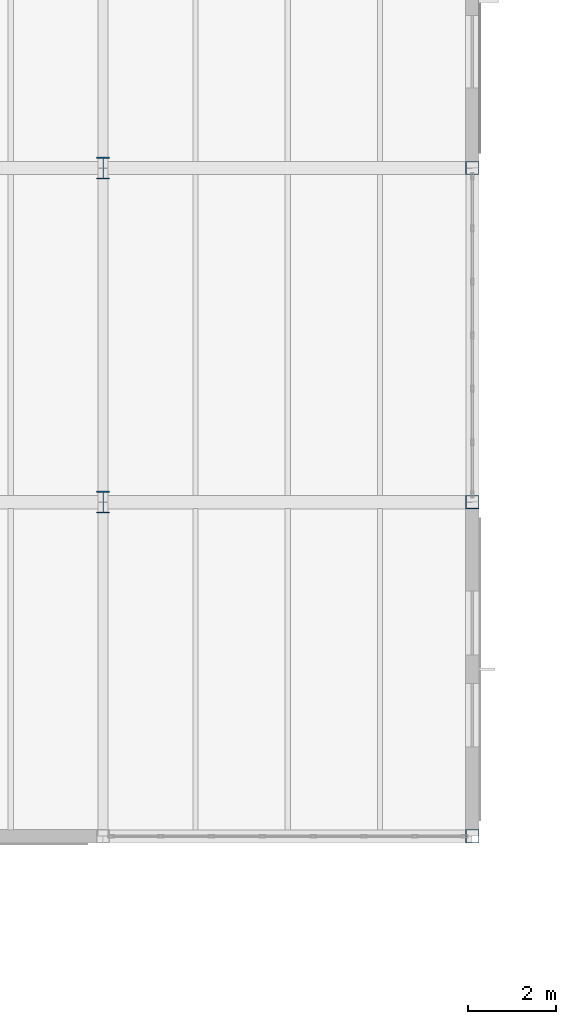
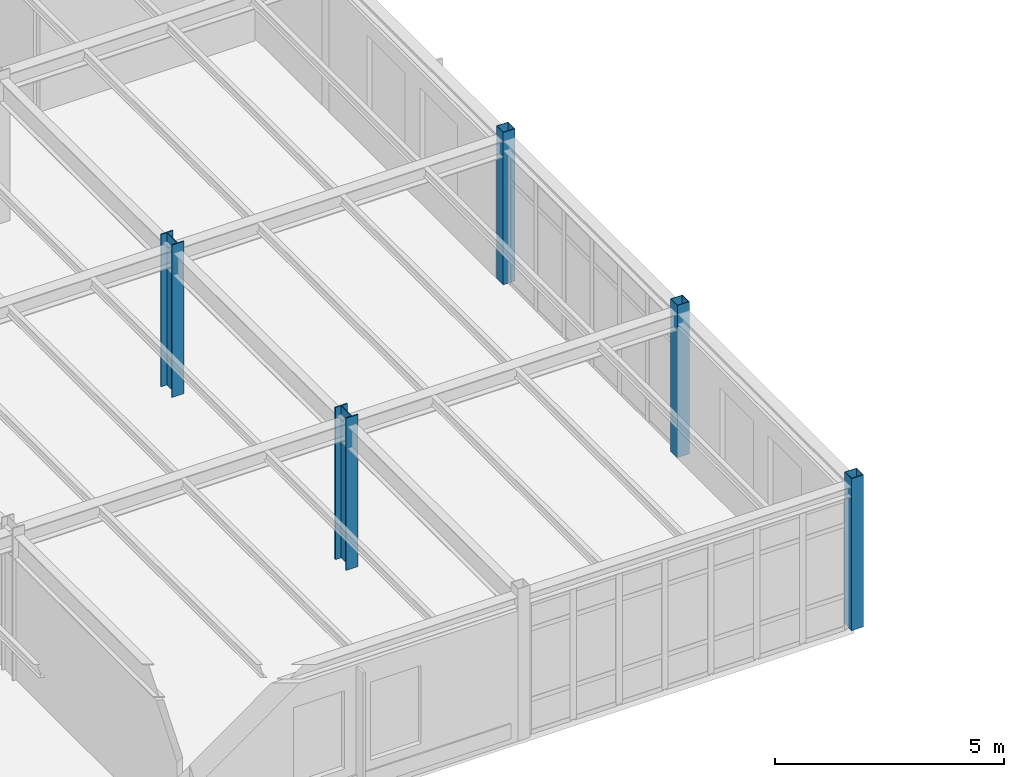
# One storey, part 14 of 165: 5 columns.
"""IFC4 building model written with IfcOpenShell, lengths in metres."""

from ifc_helpers import new_model, si_unit, direction, frame, origin, origin_2d, place, context, subcontext, project, spatial, hollow_rectangle, i_section, extrude, material, material_profile, profile_set, type_object, element, save


model = new_model("IFC4")

# Units and contexts
model_context = context("Model", 3, precision=1e-05, world=origin(), true_north=direction((0.0, 1.0)))
body_context = subcontext(model_context, "Body", "Model", "MODEL_VIEW")
ifc_project = project(units=[si_unit("LENGTHUNIT", "METRE"), si_unit("AREAUNIT", "SQUARE_METRE"), si_unit("VOLUMEUNIT", "CUBIC_METRE"), si_unit("PLANEANGLEUNIT", "RADIAN"), si_unit("MASSUNIT", "GRAM", prefix="KILO")], contexts=[model_context])

# Site, building, storey
site_placement = place(None, origin())
site = spatial("IfcSite", under=ifc_project, at=site_placement, CompositionType="ELEMENT")
building_placement = place(site_placement, origin())
building = spatial("IfcBuilding", under=site, at=building_placement, Name="Montecoro Central Library", CompositionType="ELEMENT")
storey_placement = place(building_placement, frame((0.0, 0.0, 5.10009765625)))
storey = spatial("IfcBuildingStorey", under=building, at=storey_placement, Name="L01", CompositionType="ELEMENT", Elevation=5.10009765625)

# Columns
ifc_material_1 = material(Name="Steel S355J2", Category="steel")
ifc_material_profile_1 = material_profile(ifc_material_1, i_section(OverallWidth=0.300048828125, OverallDepth=0.5, WebThickness=0.014404296875, FlangeThickness=0.028076171875, at=origin_2d()), Name="HEB 500")
ifc_profile_set_1 = profile_set([ifc_material_profile_1], Name="Steel S355J2")
column_type_1 = type_object("IfcColumnType", Name="COL-HEB500", PredefinedType="COLUMN", material=ifc_profile_set_1)
for number, where, z_axis, x_axis, name in (
    (1, (108.39990234375, 88.60009765625, 0.0), (0.0, 0.0, 1.0), (1.0, 0.0, 0.0), "V2-L01-COL-14-M"),
    (2, (108.39990234375, 96.199951171875, 0.0), (0.0, 0.0, 1.0), (1.0, 0.0, 0.0), "V2-L01-COL-14-N"),
):
    element("IfcColumn", number, at=place(storey_placement, frame(where, z_axis=z_axis, x_axis=x_axis)), inside=storey, type_object=column_type_1, Name=name, PredefinedType="COLUMN", context=body_context, shape_type="SweptSolid", body=[
        extrude(i_section(OverallWidth=0.300048828125, OverallDepth=0.5, WebThickness=0.014404296875, FlangeThickness=0.028076171875, at=origin_2d()), origin(), (0.0, 0.0, 1.0), 4.054931640625),
    ])
ifc_material_2 = material(Name="Steel S355", Category="steel")
ifc_material_profile_2 = material_profile(ifc_material_2, hollow_rectangle(XDim=0.300048828125, YDim=0.300048828125, WallThickness=0.012451171875, at=origin_2d()), Name="SHS 300x300x12.5")
ifc_profile_set_2 = profile_set([ifc_material_profile_2], Name="Steel S355")
column_type_2 = type_object("IfcColumnType", Name="COL-SHS300", PredefinedType="COLUMN", material=ifc_profile_set_2)
for number, where, z_axis, x_axis, name in (
    (3, (116.800048828125, 81.0, 0.0), (0.0, 0.0, 1.0), (1.0, 0.0, 0.0), "V2-L01-COL-15-L"),
    (4, (116.800048828125, 88.60009765625, 0.0), (0.0, 0.0, 1.0), (1.0, 0.0, 0.0), "V2-L01-COL-15-M"),
    (5, (116.800048828125, 96.199951171875, 0.0), (0.0, 0.0, 1.0), (1.0, 0.0, 0.0), "V2-L01-COL-15-N"),
):
    element("IfcColumn", number, at=place(storey_placement, frame(where, z_axis=z_axis, x_axis=x_axis)), inside=storey, type_object=column_type_2, Name=name, PredefinedType="COLUMN", context=body_context, shape_type="SweptSolid", body=[
        extrude(hollow_rectangle(XDim=0.300048828125, YDim=0.300048828125, WallThickness=0.012451171875, at=origin_2d()), origin(), (0.0, 0.0, 1.0), 4.054931640625),
    ])

save(model, "model.ifc")
